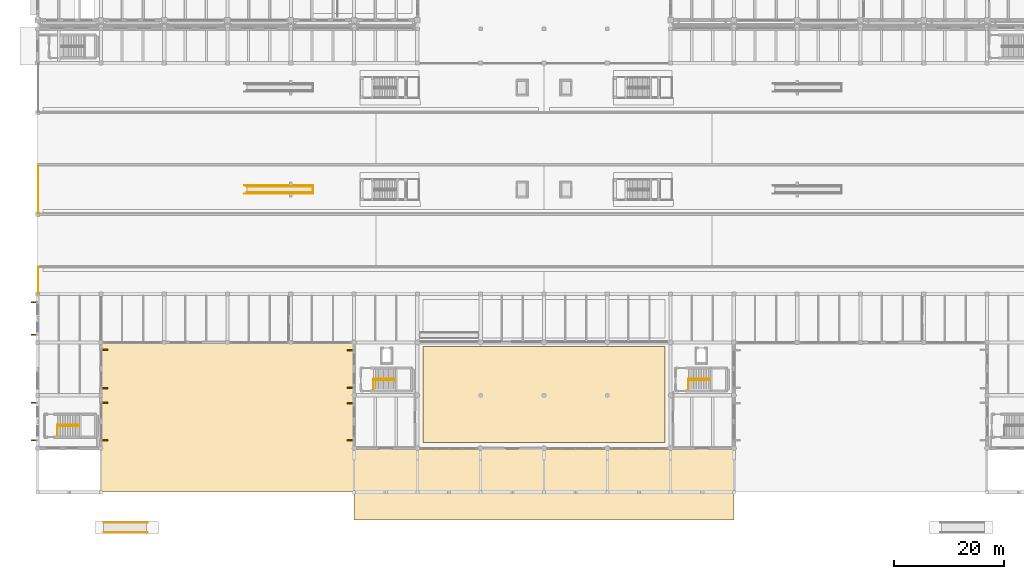
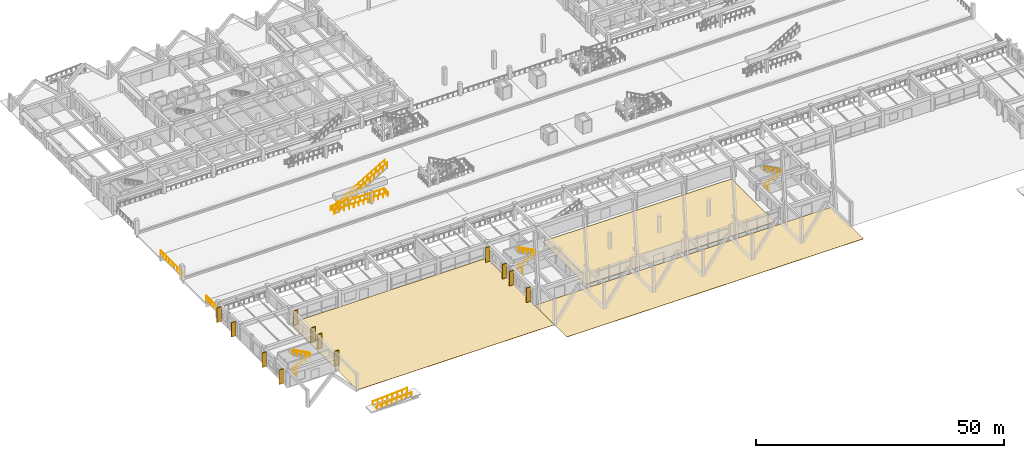
# One storey, part 99 of 109: 18 railings, 12 shading devices, 3 coverings.
"""IFC4 building model written with IfcOpenShell, lengths in metres."""

from ifc_helpers import new_model, si_unit, direction, frame, origin, origin_2d, place, context, subcontext, project, spatial, polyline, rectangle, circle, outline, extrude, material, layer, layer_set, type_object, element, save


model = new_model("IFC4")

# Units and contexts
model_context = context("Model", 3, precision=1e-05, world=origin(), true_north=direction((0.0, 1.0)))
body_context = subcontext(model_context, "Body", "Model", "MODEL_VIEW")
ifc_project = project(units=[si_unit("LENGTHUNIT", "METRE"), si_unit("AREAUNIT", "SQUARE_METRE"), si_unit("VOLUMEUNIT", "CUBIC_METRE"), si_unit("PLANEANGLEUNIT", "RADIAN"), si_unit("MASSUNIT", "GRAM", prefix="KILO")], contexts=[model_context])

# Site, building, storey
site_placement = place(None, origin())
site = spatial("IfcSite", under=ifc_project, at=site_placement, CompositionType="ELEMENT")
building_placement = place(site_placement, origin())
building = spatial("IfcBuilding", under=site, at=building_placement, Name="Ologun Quay Terminus", CompositionType="ELEMENT")
storey_placement = place(building_placement, origin())
storey = spatial("IfcBuildingStorey", under=building, at=storey_placement, Name="L00", CompositionType="ELEMENT", Elevation=0.0)

# Railings
ifc_material_1 = material(Name="Glass", Category="glass")
railing_type_1 = type_object("IfcRailingType", Name="Concourse & Atrium Glazed Balustrade 1150", PredefinedType="BALUSTRADE", material=ifc_material_1)
railing_1_placement = place(storey_placement, frame((38.0, 54.47998046875, 1.25)))
element("IfcRailing", 1, at=railing_1_placement, inside=storey, type_object=railing_type_1, Name="BL-GL Escalator Side Balustrade ESC-01-S", PredefinedType="BALUSTRADE", context=body_context, shape_type="SweptSolid", body=[
    extrude(circle(Radius=0.02392578125, at=origin_2d()), frame((0.0, 0.0, 1.1259765625), z_axis=(0.859071129887, 0.0, 0.511856223752), x_axis=(0.0, 1.0, 0.0)), (0.0, 0.0, 1.0), 13.968505859375),
    extrude(circle(Radius=0.02099609375, at=origin_2d()), origin(), (0.0, 0.0, 1.0), 1.101806640625),
    extrude(circle(Radius=0.02099609375, at=origin_2d()), frame((1.0, 0.0, 0.595703125)), (0.0, 0.0, 1.0), 1.101806640625),
    extrude(circle(Radius=0.02099609375, at=origin_2d()), frame((2.0, 0.0, 1.191650390625)), (0.0, 0.0, 1.0), 1.101806640625),
    extrude(circle(Radius=0.02099609375, at=origin_2d()), frame((3.0, 0.0, 1.78759765625)), (0.0, 0.0, 1.0), 1.101806640625),
    extrude(circle(Radius=0.02099609375, at=origin_2d()), frame((4.0, 0.0, 2.38330078125)), (0.0, 0.0, 1.0), 1.101806640625),
    extrude(circle(Radius=0.02099609375, at=origin_2d()), frame((5.0, 0.0, 2.97900390625)), (0.0, 0.0, 1.0), 1.101806640625),
    extrude(circle(Radius=0.02099609375, at=origin_2d()), frame((6.0, 0.0, 3.574951171875)), (0.0, 0.0, 1.0), 1.101806640625),
    extrude(circle(Radius=0.02099609375, at=origin_2d()), frame((7.0, 0.0, 4.1708984375)), (0.0, 0.0, 1.0), 1.101806640625),
    extrude(circle(Radius=0.02099609375, at=origin_2d()), frame((8.0, 0.0, 4.7666015625)), (0.0, 0.0, 1.0), 1.101806640625),
    extrude(circle(Radius=0.02099609375, at=origin_2d()), frame((9.0, 0.0, 5.3623046875)), (0.0, 0.0, 1.0), 1.101806640625),
    extrude(circle(Radius=0.02099609375, at=origin_2d()), frame((10.0, 0.0, 5.958251953125)), (0.0, 0.0, 1.0), 1.101806640625),
    extrude(circle(Radius=0.02099609375, at=origin_2d()), frame((11.0, 0.0, 6.55419921875)), (0.0, 0.0, 1.0), 1.101806640625),
    extrude(circle(Radius=0.02099609375, at=origin_2d()), frame((12.0, 0.0, 7.14990234375)), (0.0, 0.0, 1.0), 1.101806640625),
])
railing_2_placement = place(storey_placement, frame((38.0, 55.52001953125, 1.25)))
element("IfcRailing", 2, at=railing_2_placement, inside=storey, type_object=railing_type_1, Name="BL-GL Escalator Side Balustrade ESC-01-N", PredefinedType="BALUSTRADE", context=body_context, shape_type="SweptSolid", body=[
    extrude(circle(Radius=0.02392578125, at=origin_2d()), frame((0.0, 0.0, 1.1259765625), z_axis=(0.859071129887, 0.0, 0.511856223752), x_axis=(0.0, 1.0, 0.0)), (0.0, 0.0, 1.0), 13.968505859375),
    extrude(circle(Radius=0.02099609375, at=origin_2d()), origin(), (0.0, 0.0, 1.0), 1.101806640625),
    extrude(circle(Radius=0.02099609375, at=origin_2d()), frame((1.0, 0.0, 0.595703125)), (0.0, 0.0, 1.0), 1.101806640625),
    extrude(circle(Radius=0.02099609375, at=origin_2d()), frame((2.0, 0.0, 1.191650390625)), (0.0, 0.0, 1.0), 1.101806640625),
    extrude(circle(Radius=0.02099609375, at=origin_2d()), frame((3.0, 0.0, 1.78759765625)), (0.0, 0.0, 1.0), 1.101806640625),
    extrude(circle(Radius=0.02099609375, at=origin_2d()), frame((4.0, 0.0, 2.38330078125)), (0.0, 0.0, 1.0), 1.101806640625),
    extrude(circle(Radius=0.02099609375, at=origin_2d()), frame((5.0, 0.0, 2.97900390625)), (0.0, 0.0, 1.0), 1.101806640625),
    extrude(circle(Radius=0.02099609375, at=origin_2d()), frame((6.0, 0.0, 3.574951171875)), (0.0, 0.0, 1.0), 1.101806640625),
    extrude(circle(Radius=0.02099609375, at=origin_2d()), frame((7.0, 0.0, 4.1708984375)), (0.0, 0.0, 1.0), 1.101806640625),
    extrude(circle(Radius=0.02099609375, at=origin_2d()), frame((8.0, 0.0, 4.7666015625)), (0.0, 0.0, 1.0), 1.101806640625),
    extrude(circle(Radius=0.02099609375, at=origin_2d()), frame((9.0, 0.0, 5.3623046875)), (0.0, 0.0, 1.0), 1.101806640625),
    extrude(circle(Radius=0.02099609375, at=origin_2d()), frame((10.0, 0.0, 5.958251953125)), (0.0, 0.0, 1.0), 1.101806640625),
    extrude(circle(Radius=0.02099609375, at=origin_2d()), frame((11.0, 0.0, 6.55419921875)), (0.0, 0.0, 1.0), 1.101806640625),
    extrude(circle(Radius=0.02099609375, at=origin_2d()), frame((12.0, 0.0, 7.14990234375)), (0.0, 0.0, 1.0), 1.101806640625),
])

# Coverings
ifc_material_2 = material(Name="Granite Stone", Category="masonry")
ifc_layer_1 = layer(ifc_material_2, 0.06005859375)
ifc_layer_set_1 = layer_set([ifc_layer_1], Name="Granite Stone")
covering_type_1 = type_object("IfcCoveringType", Name="Quay & Forecourt Bush-Hammered Granite Paving 60", PredefinedType="USERDEFINED", material=ifc_layer_set_1)
covering_1_placement = place(storey_placement, frame((0.0, 0.0, -0.06005859375)))
element("IfcCovering", 3, at=covering_1_placement, inside=storey, type_object=covering_type_1, Name="CV-PVG Exterior Granite Paving FORE-SW", ObjectType="PAVING", PredefinedType="USERDEFINED", context=body_context, shape_type="SweptSolid", body=[
    extrude(outline(polyline([(11.60009765625, 0.0), (57.39990234375, 0.0), (57.39990234375, 27.10009765625), (11.60009765625, 27.10009765625), (11.60009765625, 0.0)])), origin(), (0.0, 0.0, 1.0), 0.06005859375),
])
covering_2_placement = place(storey_placement, frame((0.0, 0.0, -0.06005859375)))
element("IfcCovering", 4, at=covering_2_placement, inside=storey, type_object=covering_type_1, Name="CV-PVG Exterior Granite Paving FORE-C", ObjectType="PAVING", PredefinedType="USERDEFINED", context=body_context, shape_type="SweptSolid", body=[
    extrude(outline(polyline([(57.5, -5.0), (126.5, -5.0), (126.5, 7.89990234375), (57.5, 7.89990234375), (57.5, -5.0)])), origin(), (0.0, 0.0, 1.0), 0.06005859375),
])

# Shading devices
ifc_material_3 = material(Name="Concrete C40/50", Category="concrete")
ifc_layer_2 = layer(ifc_material_3, 0.179931640625)
ifc_layer_set_2 = layer_set([ifc_layer_2], Name="Concrete C40/50")
shading_device_type = type_object("IfcShadingDeviceType", Name="Sculpted Concrete Vertical Solar Fin 1050x180", PredefinedType="USERDEFINED", material=ifc_layer_set_2)
for number, where, z_axis, x_axis, name in (
    (5, (12.175048828125, 9.419921875, 0.14990234375), (0.0, 0.0, 1.0), (1.0, 0.0, 0.0), "SD-04 Vertical Solar Fin WEW-SA-L00-1-2-1"),
    (6, (12.175048828125, 16.280029296875, 0.14990234375), (0.0, 0.0, 1.0), (1.0, 0.0, 0.0), "SD-04 Vertical Solar Fin WEW-SA-L00-1-2-2"),
    (7, (12.175048828125, 18.919921875, 0.14990234375), (0.0, 0.0, 1.0), (1.0, 0.0, 0.0), "SD-04 Vertical Solar Fin WEW-SA-L00-1-3-1"),
    (8, (12.175048828125, 25.8798828125, 0.14990234375), (0.0, 0.0, 1.0), (1.0, 0.0, 0.0), "SD-04 Vertical Solar Fin WEW-SA-L00-1-3-2"),
    (9, (-0.675048828125, 9.419921875, 0.14990234375), (0.0, 0.0, 1.0), (1.0, 0.0, 0.0), "SD-04 Vertical Solar Fin WEW-SA-L00-1-14-1"),
    (10, (-0.675048828125, 16.280029296875, 0.14990234375), (0.0, 0.0, 1.0), (1.0, 0.0, 0.0), "SD-04 Vertical Solar Fin WEW-SA-L00-1-14-2"),
    (11, (-0.675048828125, 28.6201171875, 0.14990234375), (0.0, 0.0, 1.0), (1.0, 0.0, 0.0), "SD-04 Vertical Solar Fin WEW-SA-L00-1-16-1"),
    (12, (-0.675048828125, 34.554931640625, 0.14990234375), (0.0, 0.0, 1.0), (1.0, 0.0, 0.0), "SD-04 Vertical Solar Fin WEW-SA-L00-1-16-2"),
    (13, (56.824951171875, 9.419921875, 0.14990234375), (0.0, 0.0, 1.0), (1.0, 0.0, 0.0), "SD-04 Vertical Solar Fin WEW-SA-L00-2-16-1"),
    (14, (56.824951171875, 16.179931640625, 0.14990234375), (0.0, 0.0, 1.0), (1.0, 0.0, 0.0), "SD-04 Vertical Solar Fin WEW-SA-L00-2-16-2"),
    (15, (56.824951171875, 19.02001953125, 0.14990234375), (0.0, 0.0, 1.0), (1.0, 0.0, 0.0), "SD-04 Vertical Solar Fin WEW-SA-L00-2-17-1"),
    (16, (56.824951171875, 25.780029296875, 0.14990234375), (0.0, 0.0, 1.0), (1.0, 0.0, 0.0), "SD-04 Vertical Solar Fin WEW-SA-L00-2-17-2"),
):
    element("IfcShadingDevice", number, at=place(storey_placement, frame(where, z_axis=z_axis, x_axis=x_axis)), inside=storey, type_object=shading_device_type, Name=name, ObjectType="SOLAR FIN", PredefinedType="USERDEFINED", context=body_context, shape_type="SweptSolid", body=[
        extrude(rectangle(XDim=1.050048828125, YDim=0.179931640625, at=origin_2d()), origin(), (0.0, 0.0, 1.0), 3.580078125),
    ])

# Railings
ifc_material_4 = material(Name="Steel S355", Category="steel")
railing_type_2 = type_object("IfcRailingType", Name="Stair & Landing Steel Guardrail 1100", PredefinedType="GUARDRAIL", material=ifc_material_4)
railing_3_placement = place(storey_placement, frame((3.56005859375, 12.18994140625, 0.0)))
element("IfcRailing", 17, at=railing_3_placement, inside=storey, type_object=railing_type_2, Name="GR-ST Stair Floor Edge Guard ST-S1 L00", PredefinedType="GUARDRAIL", context=body_context, shape_type="SweptSolid", body=[
    extrude(circle(Radius=0.02392578125, at=origin_2d()), frame((0.0, 0.0, 1.076171875), z_axis=(0.0, -1.0, 0.0), x_axis=(1.0, 0.0, 0.0)), (0.0, 0.0, 1.0), 1.929931640625),
    extrude(circle(Radius=0.02099609375, at=origin_2d()), origin(), (0.0, 0.0, 1.0), 1.052001953125),
    extrude(circle(Radius=0.02099609375, at=origin_2d()), frame((0.0, -0.96484375, 0.0)), (0.0, 0.0, 1.0), 1.052001953125),
    extrude(circle(Radius=0.02099609375, at=origin_2d()), frame((0.0, -1.929931640625, 0.0)), (0.0, 0.0, 1.0), 1.052001953125),
])
railing_4_placement = place(storey_placement, frame((3.60009765625, 12.0, 0.0)))
element("IfcRailing", 18, at=railing_4_placement, inside=storey, type_object=railing_type_2, Name="GR-ST Stair Inner Well Guard ST-S1 L00", PredefinedType="GUARDRAIL", context=body_context, shape_type="SweptSolid", body=[
    extrude(circle(Radius=0.02392578125, at=origin_2d()), frame((0.0, 0.0, 1.076171875), z_axis=(0.881967403671, 0.0, 0.471310406062), x_axis=(0.0, 1.0, 0.0)), (0.0, 0.0, 1.0), 4.455810546875),
    extrude(circle(Radius=0.02392578125, at=origin_2d()), frame((3.929931640625, 0.0, 3.17626953125), z_axis=(0.0, 1.0, 0.0), x_axis=(-1.0, 0.0, 0.0)), (0.0, 0.0, 1.0), 0.199951171875),
    extrude(circle(Radius=0.02392578125, at=origin_2d()), frame((3.929931640625, 0.199951171875, 3.17626953125), z_axis=(-0.881990178689, 0.0, 0.471267784488), x_axis=(0.0, -1.0, 0.0)), (0.0, 0.0, 1.0), 4.455810546875),
    extrude(circle(Radius=0.02099609375, at=origin_2d()), origin(), (0.0, 0.0, 1.0), 1.052001953125),
    extrude(circle(Radius=0.02099609375, at=origin_2d()), frame((0.982421875, 0.0, 0.52490234375)), (0.0, 0.0, 1.0), 1.052001953125),
    extrude(circle(Radius=0.02099609375, at=origin_2d()), frame((1.96484375, 0.0, 1.050048828125)), (0.0, 0.0, 1.0), 1.052001953125),
    extrude(circle(Radius=0.02099609375, at=origin_2d()), frame((2.947509765625, 0.0, 1.5751953125)), (0.0, 0.0, 1.0), 1.052001953125),
    extrude(circle(Radius=0.02099609375, at=origin_2d()), frame((3.929931640625, 0.0, 2.10009765625)), (0.0, 0.0, 1.0), 1.052001953125),
    extrude(circle(Radius=0.02099609375, at=origin_2d()), frame((3.929931640625, 0.199951171875, 2.10009765625)), (0.0, 0.0, 1.0), 1.052001953125),
    extrude(circle(Radius=0.02099609375, at=origin_2d()), frame((2.947509765625, 0.199951171875, 2.625)), (0.0, 0.0, 1.0), 1.052001953125),
    extrude(circle(Radius=0.02099609375, at=origin_2d()), frame((1.96484375, 0.199951171875, 3.14990234375)), (0.0, 0.0, 1.0), 1.052001953125),
    extrude(circle(Radius=0.02099609375, at=origin_2d()), frame((0.982421875, 0.199951171875, 3.675048828125)), (0.0, 0.0, 1.0), 1.052001953125),
    extrude(circle(Radius=0.02099609375, at=origin_2d()), frame((0.0, 0.199951171875, 4.199951171875)), (0.0, 0.0, 1.0), 1.052001953125),
])
railing_5_placement = place(storey_placement, frame((61.010009765625, 20.590087890625, 0.0)))
element("IfcRailing", 19, at=railing_5_placement, inside=storey, type_object=railing_type_2, Name="GR-ST Stair Floor Edge Guard ST-S3 L00", PredefinedType="GUARDRAIL", context=body_context, shape_type="SweptSolid", body=[
    extrude(circle(Radius=0.02392578125, at=origin_2d()), frame((0.0, 0.0, 1.076171875), z_axis=(0.0, -1.0, 0.0), x_axis=(1.0, 0.0, 0.0)), (0.0, 0.0, 1.0), 1.93017578125),
    extrude(circle(Radius=0.02099609375, at=origin_2d()), origin(), (0.0, 0.0, 1.0), 1.052001953125),
    extrude(circle(Radius=0.02099609375, at=origin_2d()), frame((0.0, -0.965087890625, 0.0)), (0.0, 0.0, 1.0), 1.052001953125),
    extrude(circle(Radius=0.02099609375, at=origin_2d()), frame((0.0, -1.93017578125, 0.0)), (0.0, 0.0, 1.0), 1.052001953125),
])
railing_6_placement = place(storey_placement, frame((61.050048828125, 20.39990234375, 0.0)))
element("IfcRailing", 20, at=railing_6_placement, inside=storey, type_object=railing_type_2, Name="GR-ST Stair Inner Well Guard ST-S3 L00", PredefinedType="GUARDRAIL", context=body_context, shape_type="SweptSolid", body=[
    extrude(circle(Radius=0.02392578125, at=origin_2d()), frame((0.0, 0.0, 1.076171875), z_axis=(0.881967403671, 0.0, 0.471310406062), x_axis=(0.0, 1.0, 0.0)), (0.0, 0.0, 1.0), 4.455810546875),
    extrude(circle(Radius=0.02392578125, at=origin_2d()), frame((3.929931640625, 0.0, 3.17626953125), z_axis=(0.0, 1.0, 0.0), x_axis=(-1.0, 0.0, 0.0)), (0.0, 0.0, 1.0), 0.2001953125),
    extrude(circle(Radius=0.02392578125, at=origin_2d()), frame((3.929931640625, 0.2001953125, 3.17626953125), z_axis=(-0.881990178689, 0.0, 0.471267784488), x_axis=(0.0, -1.0, 0.0)), (0.0, 0.0, 1.0), 4.455810546875),
    extrude(circle(Radius=0.02099609375, at=origin_2d()), origin(), (0.0, 0.0, 1.0), 1.052001953125),
    extrude(circle(Radius=0.02099609375, at=origin_2d()), frame((0.982421875, 0.0, 0.52490234375)), (0.0, 0.0, 1.0), 1.052001953125),
    extrude(circle(Radius=0.02099609375, at=origin_2d()), frame((1.96484375, 0.0, 1.050048828125)), (0.0, 0.0, 1.0), 1.052001953125),
    extrude(circle(Radius=0.02099609375, at=origin_2d()), frame((2.947509765625, 0.0, 1.5751953125)), (0.0, 0.0, 1.0), 1.052001953125),
    extrude(circle(Radius=0.02099609375, at=origin_2d()), frame((3.929931640625, 0.0, 2.10009765625)), (0.0, 0.0, 1.0), 1.052001953125),
    extrude(circle(Radius=0.02099609375, at=origin_2d()), frame((3.929931640625, 0.2001953125, 2.10009765625)), (0.0, 0.0, 1.0), 1.052001953125),
    extrude(circle(Radius=0.02099609375, at=origin_2d()), frame((2.947509765625, 0.2001953125, 2.625)), (0.0, 0.0, 1.0), 1.052001953125),
    extrude(circle(Radius=0.02099609375, at=origin_2d()), frame((1.96484375, 0.2001953125, 3.14990234375)), (0.0, 0.0, 1.0), 1.052001953125),
    extrude(circle(Radius=0.02099609375, at=origin_2d()), frame((0.982421875, 0.2001953125, 3.675048828125)), (0.0, 0.0, 1.0), 1.052001953125),
    extrude(circle(Radius=0.02099609375, at=origin_2d()), frame((0.0, 0.2001953125, 4.199951171875)), (0.0, 0.0, 1.0), 1.052001953125),
])
railing_7_placement = place(storey_placement, frame((118.2099609375, 20.590087890625, 0.0)))
element("IfcRailing", 21, at=railing_7_placement, inside=storey, type_object=railing_type_2, Name="GR-ST Stair Floor Edge Guard ST-S4 L00", PredefinedType="GUARDRAIL", context=body_context, shape_type="SweptSolid", body=[
    extrude(circle(Radius=0.02392578125, at=origin_2d()), frame((0.0, 0.0, 1.076171875), z_axis=(0.0, -1.0, 0.0), x_axis=(1.0, 0.0, 0.0)), (0.0, 0.0, 1.0), 1.93017578125),
    extrude(circle(Radius=0.02099609375, at=origin_2d()), origin(), (0.0, 0.0, 1.0), 1.052001953125),
    extrude(circle(Radius=0.02099609375, at=origin_2d()), frame((0.0, -0.965087890625, 0.0)), (0.0, 0.0, 1.0), 1.052001953125),
    extrude(circle(Radius=0.02099609375, at=origin_2d()), frame((0.0, -1.93017578125, 0.0)), (0.0, 0.0, 1.0), 1.052001953125),
])
railing_8_placement = place(storey_placement, frame((37.60009765625, 54.25, 1.25)))
element("IfcRailing", 22, at=railing_8_placement, inside=storey, type_object=railing_type_2, Name="GR-ST Escalator Platform Guard ESC-01 L00", PredefinedType="GUARDRAIL", context=body_context, shape_type="SweptSolid", body=[
    extrude(circle(Radius=0.02392578125, at=origin_2d()), frame((0.0, 0.0, 1.076171875), z_axis=(1.0, 0.0, 0.0), x_axis=(0.0, 1.0, 0.0)), (0.0, 0.0, 1.0), 12.449951171875),
    extrude(circle(Radius=0.02392578125, at=origin_2d()), frame((12.449951171875, 0.0, 1.076171875), z_axis=(0.0, 1.0, 0.0), x_axis=(-1.0, 0.0, 0.0)), (0.0, 0.0, 1.0), 1.5),
    extrude(circle(Radius=0.02392578125, at=origin_2d()), frame((12.449951171875, 1.5, 1.076171875), z_axis=(-1.0, 0.0, 0.0), x_axis=(0.0, -1.0, 0.0)), (0.0, 0.0, 1.0), 12.449951171875),
    extrude(circle(Radius=0.02099609375, at=origin_2d()), origin(), (0.0, 0.0, 1.0), 1.052001953125),
    extrude(circle(Radius=0.02099609375, at=origin_2d()), frame((1.1318359375, 0.0, 0.0)), (0.0, 0.0, 1.0), 1.052001953125),
    extrude(circle(Radius=0.02099609375, at=origin_2d()), frame((2.263671875, 0.0, 0.0)), (0.0, 0.0, 1.0), 1.052001953125),
    extrude(circle(Radius=0.02099609375, at=origin_2d()), frame((3.3955078125, 0.0, 0.0)), (0.0, 0.0, 1.0), 1.052001953125),
    extrude(circle(Radius=0.02099609375, at=origin_2d()), frame((4.52734375, 0.0, 0.0)), (0.0, 0.0, 1.0), 1.052001953125),
    extrude(circle(Radius=0.02099609375, at=origin_2d()), frame((5.6591796875, 0.0, 0.0)), (0.0, 0.0, 1.0), 1.052001953125),
    extrude(circle(Radius=0.02099609375, at=origin_2d()), frame((6.790771484375, 0.0, 0.0)), (0.0, 0.0, 1.0), 1.052001953125),
    extrude(circle(Radius=0.02099609375, at=origin_2d()), frame((7.922607421875, 0.0, 0.0)), (0.0, 0.0, 1.0), 1.052001953125),
    extrude(circle(Radius=0.02099609375, at=origin_2d()), frame((9.054443359375, 0.0, 0.0)), (0.0, 0.0, 1.0), 1.052001953125),
    extrude(circle(Radius=0.02099609375, at=origin_2d()), frame((10.186279296875, 0.0, 0.0)), (0.0, 0.0, 1.0), 1.052001953125),
    extrude(circle(Radius=0.02099609375, at=origin_2d()), frame((11.318115234375, 0.0, 0.0)), (0.0, 0.0, 1.0), 1.052001953125),
    extrude(circle(Radius=0.02099609375, at=origin_2d()), frame((12.449951171875, 0.0, 0.0)), (0.0, 0.0, 1.0), 1.052001953125),
    extrude(circle(Radius=0.02099609375, at=origin_2d()), frame((12.449951171875, 0.75, 0.0)), (0.0, 0.0, 1.0), 1.052001953125),
    extrude(circle(Radius=0.02099609375, at=origin_2d()), frame((12.449951171875, 1.5, 0.0)), (0.0, 0.0, 1.0), 1.052001953125),
    extrude(circle(Radius=0.02099609375, at=origin_2d()), frame((11.318115234375, 1.5, 0.0)), (0.0, 0.0, 1.0), 1.052001953125),
    extrude(circle(Radius=0.02099609375, at=origin_2d()), frame((10.186279296875, 1.5, 0.0)), (0.0, 0.0, 1.0), 1.052001953125),
    extrude(circle(Radius=0.02099609375, at=origin_2d()), frame((9.054443359375, 1.5, 0.0)), (0.0, 0.0, 1.0), 1.052001953125),
    extrude(circle(Radius=0.02099609375, at=origin_2d()), frame((7.922607421875, 1.5, 0.0)), (0.0, 0.0, 1.0), 1.052001953125),
    extrude(circle(Radius=0.02099609375, at=origin_2d()), frame((6.790771484375, 1.5, 0.0)), (0.0, 0.0, 1.0), 1.052001953125),
    extrude(circle(Radius=0.02099609375, at=origin_2d()), frame((5.6591796875, 1.5, 0.0)), (0.0, 0.0, 1.0), 1.052001953125),
    extrude(circle(Radius=0.02099609375, at=origin_2d()), frame((4.52734375, 1.5, 0.0)), (0.0, 0.0, 1.0), 1.052001953125),
    extrude(circle(Radius=0.02099609375, at=origin_2d()), frame((3.3955078125, 1.5, 0.0)), (0.0, 0.0, 1.0), 1.052001953125),
    extrude(circle(Radius=0.02099609375, at=origin_2d()), frame((2.263671875, 1.5, 0.0)), (0.0, 0.0, 1.0), 1.052001953125),
    extrude(circle(Radius=0.02099609375, at=origin_2d()), frame((1.1318359375, 1.5, 0.0)), (0.0, 0.0, 1.0), 1.052001953125),
    extrude(circle(Radius=0.02099609375, at=origin_2d()), frame((0.0, 1.5, 0.0)), (0.0, 0.0, 1.0), 1.052001953125),
])
railing_9_placement = place(storey_placement, frame((0.1201171875, 50.580078125, 1.25)))
element("IfcRailing", 23, at=railing_9_placement, inside=storey, type_object=railing_type_2, Name="GR-ST Platform 1 W End Guard L00", PredefinedType="GUARDRAIL", context=body_context, shape_type="SweptSolid", body=[
    extrude(circle(Radius=0.02392578125, at=origin_2d()), frame((0.0, 0.0, 1.076171875), z_axis=(0.0, 1.0, 0.0), x_axis=(-1.0, 0.0, 0.0)), (0.0, 0.0, 1.0), 8.83984375),
    extrude(circle(Radius=0.02099609375, at=origin_2d()), origin(), (0.0, 0.0, 1.0), 1.052001953125),
    extrude(circle(Radius=0.02099609375, at=origin_2d()), frame((0.0, 1.10498046875, 0.0)), (0.0, 0.0, 1.0), 1.052001953125),
    extrude(circle(Radius=0.02099609375, at=origin_2d()), frame((0.0, 2.2099609375, 0.0)), (0.0, 0.0, 1.0), 1.052001953125),
    extrude(circle(Radius=0.02099609375, at=origin_2d()), frame((0.0, 3.31494140625, 0.0)), (0.0, 0.0, 1.0), 1.052001953125),
    extrude(circle(Radius=0.02099609375, at=origin_2d()), frame((0.0, 4.419921875, 0.0)), (0.0, 0.0, 1.0), 1.052001953125),
    extrude(circle(Radius=0.02099609375, at=origin_2d()), frame((0.0, 5.52490234375, 0.0)), (0.0, 0.0, 1.0), 1.052001953125),
    extrude(circle(Radius=0.02099609375, at=origin_2d()), frame((0.0, 6.6298828125, 0.0)), (0.0, 0.0, 1.0), 1.052001953125),
    extrude(circle(Radius=0.02099609375, at=origin_2d()), frame((0.0, 7.73486328125, 0.0)), (0.0, 0.0, 1.0), 1.052001953125),
    extrude(circle(Radius=0.02099609375, at=origin_2d()), frame((0.0, 8.83984375, 0.0)), (0.0, 0.0, 1.0), 1.052001953125),
])
railing_10_placement = place(storey_placement, frame((0.1201171875, 36.080078125, 1.25)))
element("IfcRailing", 24, at=railing_10_placement, inside=storey, type_object=railing_type_2, Name="GR-ST Platform 3 W End Guard L00", PredefinedType="GUARDRAIL", context=body_context, shape_type="SweptSolid", body=[
    extrude(circle(Radius=0.02392578125, at=origin_2d()), frame((0.0, 0.0, 1.076171875), z_axis=(0.0, 1.0, 0.0), x_axis=(-1.0, 0.0, 0.0)), (0.0, 0.0, 1.0), 4.83984375),
    extrude(circle(Radius=0.02099609375, at=origin_2d()), origin(), (0.0, 0.0, 1.0), 1.052001953125),
    extrude(circle(Radius=0.02099609375, at=origin_2d()), frame((0.0, 0.968017578125, 0.0)), (0.0, 0.0, 1.0), 1.052001953125),
    extrude(circle(Radius=0.02099609375, at=origin_2d()), frame((0.0, 1.93603515625, 0.0)), (0.0, 0.0, 1.0), 1.052001953125),
    extrude(circle(Radius=0.02099609375, at=origin_2d()), frame((0.0, 2.90380859375, 0.0)), (0.0, 0.0, 1.0), 1.052001953125),
    extrude(circle(Radius=0.02099609375, at=origin_2d()), frame((0.0, 3.871826171875, 0.0)), (0.0, 0.0, 1.0), 1.052001953125),
    extrude(circle(Radius=0.02099609375, at=origin_2d()), frame((0.0, 4.83984375, 0.0)), (0.0, 0.0, 1.0), 1.052001953125),
])
ifc_material_5 = material(Name="Steel S355", Category="steel")
railing_type_3 = type_object("IfcRailingType", Name="Stair Stainless Tubular Handrail 920", PredefinedType="HANDRAIL", material=ifc_material_5)
railing_11_placement = place(storey_placement, frame((3.60009765625, 11.989990234375, 0.14990234375)))
element("IfcRailing", 25, at=railing_11_placement, inside=storey, type_object=railing_type_3, Name="HR-ST Handrail ST-S1-F1 L00", PredefinedType="HANDRAIL", context=body_context, shape_type="SweptSolid", body=[
    extrude(circle(Radius=0.02392578125, at=origin_2d()), frame((0.0, 0.0, 0.89599609375), z_axis=(0.894404793364, 0.0, 0.447258387967), x_axis=(0.0, 1.0, 0.0)), (0.0, 0.0, 1.0), 4.3603515625),
    extrude(circle(Radius=0.02099609375, at=origin_2d()), origin(), (0.0, 0.0, 1.0), 0.871826171875),
    extrude(circle(Radius=0.02099609375, at=origin_2d()), frame((0.97509765625, 0.0, 0.487548828125)), (0.0, 0.0, 1.0), 0.871826171875),
    extrude(circle(Radius=0.02099609375, at=origin_2d()), frame((1.949951171875, 0.0, 0.97509765625)), (0.0, 0.0, 1.0), 0.871826171875),
    extrude(circle(Radius=0.02099609375, at=origin_2d()), frame((2.9248046875, 0.0, 1.462646484375)), (0.0, 0.0, 1.0), 0.871826171875),
    extrude(circle(Radius=0.02099609375, at=origin_2d()), frame((3.89990234375, 0.0, 1.9501953125)), (0.0, 0.0, 1.0), 0.871826171875),
])
railing_12_placement = place(storey_placement, frame((7.5, 12.2099609375, 2.25)))
element("IfcRailing", 26, at=railing_12_placement, inside=storey, type_object=railing_type_3, Name="HR-ST Handrail ST-S1-F2 L00", PredefinedType="HANDRAIL", context=body_context, shape_type="SweptSolid", body=[
    extrude(circle(Radius=0.02392578125, at=origin_2d()), frame((0.0, 0.0, 0.89599609375), z_axis=(-0.894427191, 0.0, 0.4472135955), x_axis=(0.0, -1.0, 0.0)), (0.0, 0.0, 1.0), 4.360107421875),
    extrude(circle(Radius=0.02099609375, at=origin_2d()), origin(), (0.0, 0.0, 1.0), 0.871826171875),
    extrude(circle(Radius=0.02099609375, at=origin_2d()), frame((-0.97509765625, 0.0, 0.487548828125)), (0.0, 0.0, 1.0), 0.871826171875),
    extrude(circle(Radius=0.02099609375, at=origin_2d()), frame((-1.949951171875, 0.0, 0.97509765625)), (0.0, 0.0, 1.0), 0.871826171875),
    extrude(circle(Radius=0.02099609375, at=origin_2d()), frame((-2.9248046875, 0.0, 1.46240234375)), (0.0, 0.0, 1.0), 0.871826171875),
    extrude(circle(Radius=0.02099609375, at=origin_2d()), frame((-3.89990234375, 0.0, 1.949951171875)), (0.0, 0.0, 1.0), 0.871826171875),
])
railing_13_placement = place(storey_placement, frame((61.050048828125, 20.389892578125, 0.14990234375)))
element("IfcRailing", 27, at=railing_13_placement, inside=storey, type_object=railing_type_3, Name="HR-ST Handrail ST-S3-F1 L00", PredefinedType="HANDRAIL", context=body_context, shape_type="SweptSolid", body=[
    extrude(circle(Radius=0.02392578125, at=origin_2d()), frame((0.0, 0.0, 0.89599609375), z_axis=(0.894404793364, 0.0, 0.447258387967), x_axis=(0.0, 1.0, 0.0)), (0.0, 0.0, 1.0), 4.3603515625),
    extrude(circle(Radius=0.02099609375, at=origin_2d()), origin(), (0.0, 0.0, 1.0), 0.871826171875),
    extrude(circle(Radius=0.02099609375, at=origin_2d()), frame((0.97509765625, 0.0, 0.487548828125)), (0.0, 0.0, 1.0), 0.871826171875),
    extrude(circle(Radius=0.02099609375, at=origin_2d()), frame((1.949951171875, 0.0, 0.97509765625)), (0.0, 0.0, 1.0), 0.871826171875),
    extrude(circle(Radius=0.02099609375, at=origin_2d()), frame((2.9248046875, 0.0, 1.462646484375)), (0.0, 0.0, 1.0), 0.871826171875),
    extrude(circle(Radius=0.02099609375, at=origin_2d()), frame((3.89990234375, 0.0, 1.9501953125)), (0.0, 0.0, 1.0), 0.871826171875),
])
railing_14_placement = place(storey_placement, frame((64.949951171875, 20.610107421875, 2.25)))
element("IfcRailing", 28, at=railing_14_placement, inside=storey, type_object=railing_type_3, Name="HR-ST Handrail ST-S3-F2 L00", PredefinedType="HANDRAIL", context=body_context, shape_type="SweptSolid", body=[
    extrude(circle(Radius=0.02392578125, at=origin_2d()), frame((0.0, 0.0, 0.89599609375), z_axis=(-0.894427191, 0.0, 0.4472135955), x_axis=(0.0, -1.0, 0.0)), (0.0, 0.0, 1.0), 4.360107421875),
    extrude(circle(Radius=0.02099609375, at=origin_2d()), origin(), (0.0, 0.0, 1.0), 0.871826171875),
    extrude(circle(Radius=0.02099609375, at=origin_2d()), frame((-0.97509765625, 0.0, 0.487548828125)), (0.0, 0.0, 1.0), 0.871826171875),
    extrude(circle(Radius=0.02099609375, at=origin_2d()), frame((-1.949951171875, 0.0, 0.97509765625)), (0.0, 0.0, 1.0), 0.871826171875),
    extrude(circle(Radius=0.02099609375, at=origin_2d()), frame((-2.9248046875, 0.0, 1.46240234375)), (0.0, 0.0, 1.0), 0.871826171875),
    extrude(circle(Radius=0.02099609375, at=origin_2d()), frame((-3.89990234375, 0.0, 1.949951171875)), (0.0, 0.0, 1.0), 0.871826171875),
])
railing_15_placement = place(storey_placement, frame((118.25, 20.389892578125, 0.14990234375)))
element("IfcRailing", 29, at=railing_15_placement, inside=storey, type_object=railing_type_3, Name="HR-ST Handrail ST-S4-F1 L00", PredefinedType="HANDRAIL", context=body_context, shape_type="SweptSolid", body=[
    extrude(circle(Radius=0.02392578125, at=origin_2d()), frame((0.0, 0.0, 0.89599609375), z_axis=(0.894404793364, 0.0, 0.447258387967), x_axis=(0.0, 1.0, 0.0)), (0.0, 0.0, 1.0), 4.3603515625),
    extrude(circle(Radius=0.02099609375, at=origin_2d()), origin(), (0.0, 0.0, 1.0), 0.871826171875),
    extrude(circle(Radius=0.02099609375, at=origin_2d()), frame((0.97509765625, 0.0, 0.487548828125)), (0.0, 0.0, 1.0), 0.871826171875),
    extrude(circle(Radius=0.02099609375, at=origin_2d()), frame((1.949951171875, 0.0, 0.97509765625)), (0.0, 0.0, 1.0), 0.871826171875),
    extrude(circle(Radius=0.02099609375, at=origin_2d()), frame((2.9248046875, 0.0, 1.462646484375)), (0.0, 0.0, 1.0), 0.871826171875),
    extrude(circle(Radius=0.02099609375, at=origin_2d()), frame((3.89990234375, 0.0, 1.9501953125)), (0.0, 0.0, 1.0), 0.871826171875),
])
railing_16_placement = place(storey_placement, frame((122.14990234375, 20.610107421875, 2.25)))
element("IfcRailing", 30, at=railing_16_placement, inside=storey, type_object=railing_type_3, Name="HR-ST Handrail ST-S4-F2 L00", PredefinedType="HANDRAIL", context=body_context, shape_type="SweptSolid", body=[
    extrude(circle(Radius=0.02392578125, at=origin_2d()), frame((0.0, 0.0, 0.89599609375), z_axis=(-0.894427191, 0.0, 0.4472135955), x_axis=(0.0, -1.0, 0.0)), (0.0, 0.0, 1.0), 4.360107421875),
    extrude(circle(Radius=0.02099609375, at=origin_2d()), origin(), (0.0, 0.0, 1.0), 0.871826171875),
    extrude(circle(Radius=0.02099609375, at=origin_2d()), frame((-0.97509765625, 0.0, 0.487548828125)), (0.0, 0.0, 1.0), 0.871826171875),
    extrude(circle(Radius=0.02099609375, at=origin_2d()), frame((-1.949951171875, 0.0, 0.97509765625)), (0.0, 0.0, 1.0), 0.871826171875),
    extrude(circle(Radius=0.02099609375, at=origin_2d()), frame((-2.9248046875, 0.0, 1.46240234375)), (0.0, 0.0, 1.0), 0.871826171875),
    extrude(circle(Radius=0.02099609375, at=origin_2d()), frame((-3.89990234375, 0.0, 1.949951171875)), (0.0, 0.0, 1.0), 0.871826171875),
])
for number, where, name in (
    (31, (12.0, -7.25, -0.5), "HR-ST Ramp Handrail RMP-S-W-S"),
    (32, (12.0, -5.550048828125, -0.5), "HR-ST Ramp Handrail RMP-S-W-N"),
):
    element("IfcRailing", number, at=place(storey_placement, frame(where)), inside=storey, type_object=railing_type_3, Name=name, PredefinedType="HANDRAIL", context=body_context, shape_type="SweptSolid", body=[
        extrude(circle(Radius=0.02392578125, at=origin_2d()), frame((0.0, 0.0, 0.89599609375), z_axis=(0.998052578483, 0.0, 0.062378286155), x_axis=(0.0, 1.0, 0.0)), (0.0, 0.0, 1.0), 8.015625),
        extrude(circle(Radius=0.02099609375, at=origin_2d()), origin(), (0.0, 0.0, 1.0), 0.871826171875),
        extrude(circle(Radius=0.02099609375, at=origin_2d()), frame((1.142822265625, 0.0, 0.071533203125)), (0.0, 0.0, 1.0), 0.871826171875),
        extrude(circle(Radius=0.02099609375, at=origin_2d()), frame((2.28564453125, 0.0, 0.142822265625)), (0.0, 0.0, 1.0), 0.871826171875),
        extrude(circle(Radius=0.02099609375, at=origin_2d()), frame((3.428466796875, 0.0, 0.21435546875)), (0.0, 0.0, 1.0), 0.871826171875),
        extrude(circle(Radius=0.02099609375, at=origin_2d()), frame((4.571533203125, 0.0, 0.28564453125)), (0.0, 0.0, 1.0), 0.871826171875),
        extrude(circle(Radius=0.02099609375, at=origin_2d()), frame((5.71435546875, 0.0, 0.357177734375)), (0.0, 0.0, 1.0), 0.871826171875),
        extrude(circle(Radius=0.02099609375, at=origin_2d()), frame((6.857177734375, 0.0, 0.428466796875)), (0.0, 0.0, 1.0), 0.871826171875),
        extrude(circle(Radius=0.02099609375, at=origin_2d()), frame((8.0, 0.0, 0.5)), (0.0, 0.0, 1.0), 0.871826171875),
    ])

# Covering
ifc_material_6 = material(Name="Precast Concrete C40/50", Category="concrete")
ifc_layer_3 = layer(ifc_material_6, 0.0400390625)
ifc_layer_set_3 = layer_set([ifc_layer_3], Name="Precast Concrete C40/50")
covering_type_2 = type_object("IfcCoveringType", Name="Terrazzo Station Concourse Flooring 40", PredefinedType="FLOORING", material=ifc_layer_set_3)
covering_3_placement = place(storey_placement, origin())
element("IfcCovering", 33, at=covering_3_placement, inside=storey, type_object=covering_type_2, Name="CV-FL1 Interior Flooring 1", PredefinedType="FLOORING", context=body_context, shape_type="SweptSolid", body=[
    extrude(outline(polyline([(70.0, 9.0), (114.0, 9.0), (114.0, 26.5), (70.0, 26.5), (70.0, 9.0)])), origin(), (0.0, 0.0, 1.0), 0.0400390625),
])

save(model, "model.ifc")
